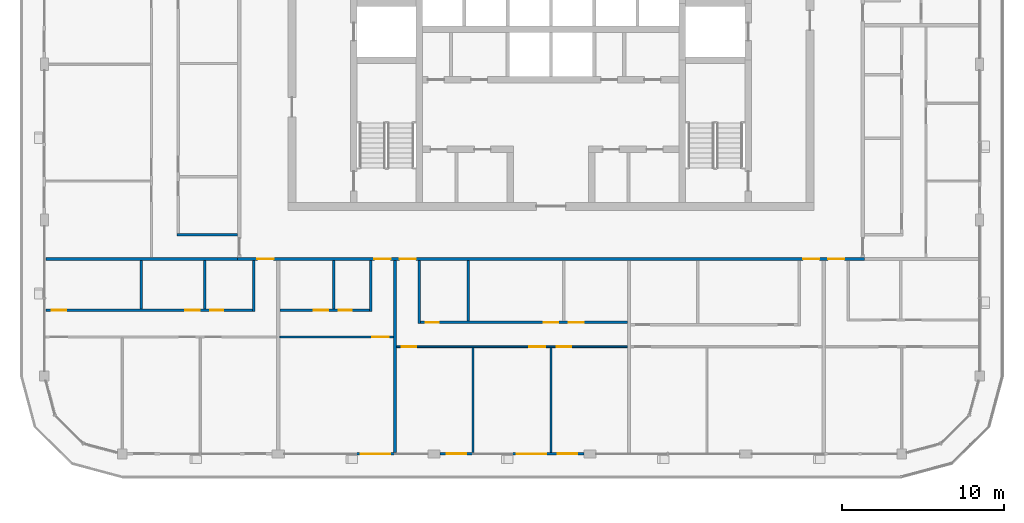
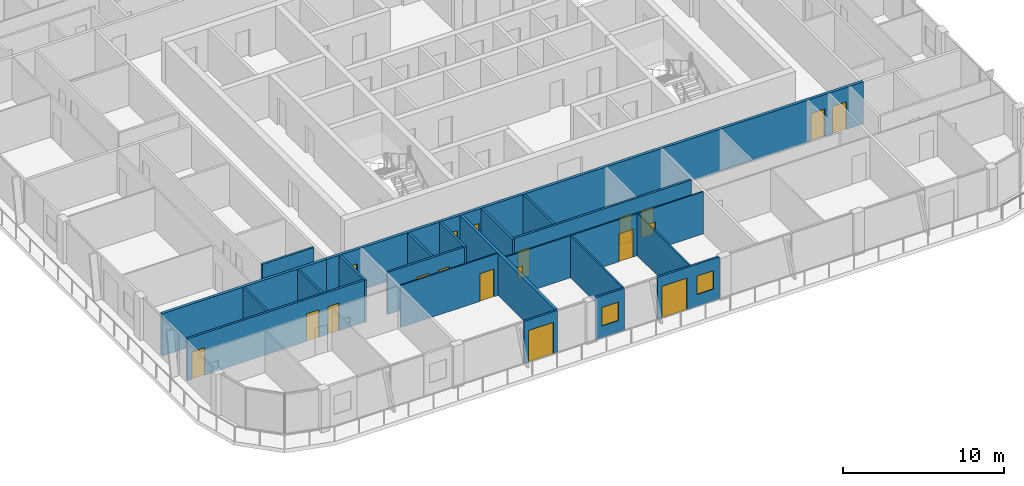
# One storey, part 9 of 22: 21 walls, 19 doors, 2 windows, 21 openings.
"""IFC4 building model written with IfcOpenShell, lengths in metres."""

from ifc_helpers import new_model, si_unit, direction, frame, frame_2d, origin, place, context, subcontext, project, spatial, rectangle, extrude, material, layer, layer_set, type_object, element, fill, save


model = new_model("IFC4")

# Units and contexts
model_context = context("Model", 3, precision=1e-05, world=origin(), true_north=direction((0.0, 1.0)))
body_context = subcontext(model_context, "Body", "Model", "MODEL_VIEW")
ifc_project = project(units=[si_unit("LENGTHUNIT", "METRE"), si_unit("AREAUNIT", "SQUARE_METRE"), si_unit("VOLUMEUNIT", "CUBIC_METRE"), si_unit("PLANEANGLEUNIT", "RADIAN"), si_unit("MASSUNIT", "GRAM", prefix="KILO")], contexts=[model_context])

# Site, building, storey
site_placement = place(None, origin())
site = spatial("IfcSite", under=ifc_project, at=site_placement, CompositionType="ELEMENT")
building_placement = place(site_placement, origin())
building = spatial("IfcBuilding", under=site, at=building_placement, Name="Madar Terraces", CompositionType="ELEMENT")
storey_placement = place(building_placement, frame((0.0, 0.0, 279.10009765625)))
storey = spatial("IfcBuildingStorey", under=building, at=storey_placement, Name="L73", CompositionType="ELEMENT", Elevation=279.10009765625)

# Wall, opening, door
ifc_material_1 = material(Name="Aluminium composite panel, black, over insulated backing", Category="aluminium")
ifc_layer_1 = layer(ifc_material_1, 0.14990234375)
ifc_layer_set_1 = layer_set([ifc_layer_1], Name="Facade bay panel 150")
wall_type_1 = type_object("IfcWallType", Name="Facade bay panel 150", PredefinedType="SOLIDWALL", material=ifc_layer_set_1)
wall_1_placement = place(storey_placement, frame((19.199951171875, 0.0, 0.0), z_axis=(0.0, 0.0, 1.0), x_axis=(1.0, 0.0, 0.0)))
wall_1 = element("IfcWall", 1, at=wall_1_placement, inside=storey, type_object=wall_type_1, Name="Facade bay panel", PredefinedType="SOLIDWALL", context=body_context, shape_type="SweptSolid", body=[
    extrude(rectangle(XDim=2.400146484375, YDim=0.14990234375, at=frame_2d((1.2001953125, 0.0))), origin(), (0.0, 0.0, 1.0), 3.199951171875),
])
opening_1_placement = place(wall_1_placement, frame((0.300048828125, 0.0, 0.0)))
opening_1 = element("IfcOpeningElement", 2, at=opening_1_placement, cuts=wall_1, Name="Opening ED1", PredefinedType="OPENING", context=body_context, shape_type="SweptSolid", body=[
    extrude(rectangle(XDim=1.800048828125, YDim=2.39990234375, at=frame_2d((0.89990234375, 1.199951171875))), frame((0.0, 0.0849609375, 0.0), z_axis=(0.0, -1.0, 0.0), x_axis=(1.0, 0.0, 0.0)), (0.0, 0.0, 1.0), 0.169921875),
])
ifc_material_2 = material(Name="Glass, clear, with black aluminium frame", Category="aluminium")
door_type_1 = type_object("IfcDoorType", Name="Balcony and terrace sliding door 1800 x 2400", OperationType="SLIDING_TO_LEFT", PredefinedType="DOOR", material=ifc_material_2)
door_1_placement = place(opening_1_placement, origin())
door_1 = element("IfcDoor", 3, at=door_1_placement, inside=storey, type_object=door_type_1, Name="Balcony door", OperationType="SLIDING_TO_LEFT", OverallHeight=2.39990234375, OverallWidth=1.800048828125, PredefinedType="DOOR", context=body_context, shape_type="SweptSolid", body=[
    extrude(rectangle(XDim=1.800048828125, YDim=2.39990234375, at=frame_2d((0.89990234375, 1.199951171875))), frame((0.0, 0.02490234375, 0.0), z_axis=(0.0, -1.0, 0.0), x_axis=(1.0, 0.0, 0.0)), (0.0, 0.0, 1.0), 0.050048828125),
])
fill(opening_1, door_1)

# Wall, opening, window
wall_2_placement = place(storey_placement, frame((24.375, 0.0, 0.0), z_axis=(0.0, 0.0, 1.0), x_axis=(1.0, 0.0, 0.0)))
wall_2 = element("IfcWall", 4, at=wall_2_placement, inside=storey, type_object=wall_type_1, Name="Facade bay panel", PredefinedType="SOLIDWALL", context=body_context, shape_type="SweptSolid", body=[
    extrude(rectangle(XDim=2.02490234375, YDim=0.14990234375, at=frame_2d((1.012451171875, 0.0))), origin(), (0.0, 0.0, 1.0), 3.199951171875),
])
opening_2_placement = place(wall_2_placement, frame((0.41259765625, 0.0, 0.89990234375)))
opening_2 = element("IfcOpeningElement", 5, at=opening_2_placement, cuts=wall_2, Name="Opening W1", PredefinedType="OPENING", context=body_context, shape_type="SweptSolid", body=[
    extrude(rectangle(XDim=1.199951171875, YDim=1.39990234375, at=frame_2d((0.60009765625, 0.699951171875))), frame((0.0, 0.0849609375, 0.0), z_axis=(0.0, -1.0, 0.0), x_axis=(1.0, 0.0, 0.0)), (0.0, 0.0, 1.0), 0.169921875),
])
ifc_material_3 = material(Name="Glass, clear, with black aluminium frame", Category="aluminium")
window_type = type_object("IfcWindowType", Name="Vent window 1200 x 1400", PartitioningType="SINGLE_PANEL", PredefinedType="WINDOW", material=ifc_material_3)
window_1_placement = place(opening_2_placement, origin())
window_1 = element("IfcWindow", 6, at=window_1_placement, inside=storey, type_object=window_type, Name="Operable vent window", OverallHeight=1.39990234375, OverallWidth=1.199951171875, PartitioningType="SINGLE_PANEL", PredefinedType="WINDOW", context=body_context, shape_type="SweptSolid", body=[
    extrude(rectangle(XDim=1.199951171875, YDim=1.39990234375, at=frame_2d((0.60009765625, 0.699951171875))), frame((0.0, 0.030029296875, 0.0), z_axis=(0.0, -1.0, 0.0), x_axis=(1.0, 0.0, 0.0)), (0.0, 0.0, 1.0), 0.06005859375),
])
fill(opening_2, window_1)

# Wall, openings, door, window
wall_3_placement = place(storey_placement, frame((28.800048828125, 0.0, 0.0), z_axis=(0.0, 0.0, 1.0), x_axis=(1.0, 0.0, 0.0)))
wall_3 = element("IfcWall", 7, at=wall_3_placement, inside=storey, type_object=wall_type_1, Name="Facade bay panel", PredefinedType="SOLIDWALL", context=body_context, shape_type="SweptSolid", body=[
    extrude(rectangle(XDim=4.425048828125, YDim=0.14990234375, at=frame_2d((2.21240234375, 0.0))), origin(), (0.0, 0.0, 1.0), 3.199951171875),
])
opening_3_placement = place(wall_3_placement, frame((0.300048828125, 0.0, 0.0)))
opening_3 = element("IfcOpeningElement", 8, at=opening_3_placement, cuts=wall_3, Name="Opening ED1", PredefinedType="OPENING", context=body_context, shape_type="SweptSolid", body=[
    extrude(rectangle(XDim=1.800048828125, YDim=2.39990234375, at=frame_2d((0.89990234375, 1.199951171875))), frame((0.0, 0.0849609375, 0.0), z_axis=(0.0, -1.0, 0.0), x_axis=(1.0, 0.0, 0.0)), (0.0, 0.0, 1.0), 0.169921875),
])
opening_4_placement = place(wall_3_placement, frame((2.8125, 0.0, 0.89990234375)))
opening_4 = element("IfcOpeningElement", 9, at=opening_4_placement, cuts=wall_3, Name="Opening W1", PredefinedType="OPENING", context=body_context, shape_type="SweptSolid", body=[
    extrude(rectangle(XDim=1.199951171875, YDim=1.39990234375, at=frame_2d((0.60009765625, 0.699951171875))), frame((0.0, 0.0849609375, 0.0), z_axis=(0.0, -1.0, 0.0), x_axis=(1.0, 0.0, 0.0)), (0.0, 0.0, 1.0), 0.169921875),
])
door_2_placement = place(opening_3_placement, origin())
door_2 = element("IfcDoor", 10, at=door_2_placement, inside=storey, type_object=door_type_1, Name="Balcony door", OperationType="SLIDING_TO_RIGHT", OverallHeight=2.39990234375, OverallWidth=1.800048828125, PredefinedType="DOOR", context=body_context, shape_type="SweptSolid", body=[
    extrude(rectangle(XDim=1.800048828125, YDim=2.39990234375, at=frame_2d((0.89990234375, 1.199951171875))), frame((0.0, 0.02490234375, 0.0), z_axis=(0.0, -1.0, 0.0), x_axis=(1.0, 0.0, 0.0)), (0.0, 0.0, 1.0), 0.050048828125),
])
fill(opening_3, door_2)
window_2_placement = place(opening_4_placement, origin())
window_2 = element("IfcWindow", 11, at=window_2_placement, inside=storey, type_object=window_type, Name="Operable vent window", OverallHeight=1.39990234375, OverallWidth=1.199951171875, PartitioningType="SINGLE_PANEL", PredefinedType="WINDOW", context=body_context, shape_type="SweptSolid", body=[
    extrude(rectangle(XDim=1.199951171875, YDim=1.39990234375, at=frame_2d((0.60009765625, 0.699951171875))), frame((0.0, 0.030029296875, 0.0), z_axis=(0.0, -1.0, 0.0), x_axis=(1.0, 0.0, 0.0)), (0.0, 0.0, 1.0), 0.06005859375),
])
fill(opening_4, window_2)

# Wall, opening, door
ifc_material_4 = material(Name="Gypsum board on steel studs", Category="steel")
ifc_layer_2 = layer(ifc_material_4, 0.10009765625)
ifc_layer_set_2 = layer_set([ifc_layer_2], Name="Flat partition 100")
wall_type_2 = type_object("IfcWallType", Name="Flat partition 100", PredefinedType="PARTITIONING", material=ifc_layer_set_2)
wall_4_placement = place(storey_placement, frame((21.5, 7.199951171875, 0.0), z_axis=(0.0, 0.0, 1.0), x_axis=(-1.0, 0.0, 0.0)))
wall_4 = element("IfcWall", 12, at=wall_4_placement, inside=storey, type_object=wall_type_2, Name="Flat partition 100", PredefinedType="PARTITIONING", context=body_context, shape_type="SweptSolid", body=[
    extrude(rectangle(XDim=7.0, YDim=0.10009765625, at=frame_2d((3.5, 0.0))), origin(), (0.0, 0.0, 1.0), 3.199951171875),
])
opening_5_placement = place(wall_4_placement, frame((0.300048828125, 0.0, 0.0)))
opening_5 = element("IfcOpeningElement", 13, at=opening_5_placement, cuts=wall_4, Name="Opening D3", PredefinedType="OPENING", context=body_context, shape_type="SweptSolid", body=[
    extrude(rectangle(XDim=1.0, YDim=2.10009765625, at=frame_2d((0.5, 1.050048828125))), frame((0.0, 0.06005859375, 0.0), z_axis=(0.0, -1.0, 0.0), x_axis=(1.0, 0.0, 0.0)), (0.0, 0.0, 1.0), 0.1201171875),
])
ifc_material_5 = material(Name="Timber door leaf", Category="wood")
door_type_2 = type_object("IfcDoorType", Name="Flat living room door 1000", OperationType="NOTDEFINED", PredefinedType="DOOR", material=ifc_material_5)
door_3_placement = place(opening_5_placement, origin())
door_3 = element("IfcDoor", 14, at=door_3_placement, inside=storey, type_object=door_type_2, Name="Flat living room door 1000", OperationType="SINGLE_SWING_LEFT", OverallHeight=2.10009765625, OverallWidth=1.0, PredefinedType="DOOR", context=body_context, shape_type="SweptSolid", body=[
    extrude(rectangle(XDim=1.0, YDim=2.10009765625, at=frame_2d((0.5, 1.050048828125))), frame((0.0, 0.02490234375, 0.0), z_axis=(0.0, -1.0, 0.0), x_axis=(1.0, 0.0, 0.0)), (0.0, 0.0, 1.0), 0.050048828125),
])
fill(opening_5, door_3)

# Walls
for number, where, z_axis, x_axis, name in (
    (15, (26.39990234375, 6.550048828125, 0.0), (0.0, 0.0, 1.0), (0.0, -1.0, 0.0), "Flat partition 100"),
    (16, (31.199951171875, 6.550048828125, 0.0), (0.0, 0.0, 1.0), (0.0, -1.0, 0.0), "Flat partition 100"),
):
    element("IfcWall", number, at=place(storey_placement, frame(where, z_axis=z_axis, x_axis=x_axis)), inside=storey, type_object=wall_type_2, Name=name, PredefinedType="PARTITIONING", context=body_context, shape_type="SweptSolid", body=[
        extrude(rectangle(XDim=6.449951171875, YDim=0.10009765625, at=frame_2d((3.22509765625, 0.0))), origin(), (0.0, 0.0, 1.0), 3.199951171875),
    ])

# Wall, openings, doors
wall_5_placement = place(storey_placement, frame((35.89990234375, 6.60009765625, 0.0), z_axis=(0.0, 0.0, 1.0), x_axis=(-1.0, 0.0, 0.0)))
wall_5 = element("IfcWall", 17, at=wall_5_placement, inside=storey, type_object=wall_type_2, Name="Flat partition 100", PredefinedType="PARTITIONING", context=body_context, shape_type="SweptSolid", body=[
    extrude(rectangle(XDim=14.199951171875, YDim=0.10009765625, at=frame_2d((7.10009765625, 0.0))), origin(), (0.0, 0.0, 1.0), 3.199951171875),
])
opening_6_placement = place(wall_5_placement, frame((13.0, 0.0, 0.0)))
opening_6 = element("IfcOpeningElement", 18, at=opening_6_placement, cuts=wall_5, Name="Opening D2", PredefinedType="OPENING", context=body_context, shape_type="SweptSolid", body=[
    extrude(rectangle(XDim=0.89990234375, YDim=2.10009765625, at=frame_2d((0.449951171875, 1.050048828125))), frame((0.0, 0.06005859375, 0.0), z_axis=(0.0, -1.0, 0.0), x_axis=(1.0, 0.0, 0.0)), (0.0, 0.0, 1.0), 0.1201171875),
])
opening_7_placement = place(wall_5_placement, frame((5.050048828125, 0.0, 0.0)))
opening_7 = element("IfcOpeningElement", 19, at=opening_7_placement, cuts=wall_5, Name="Opening D3", PredefinedType="OPENING", context=body_context, shape_type="SweptSolid", body=[
    extrude(rectangle(XDim=1.0, YDim=2.10009765625, at=frame_2d((0.5, 1.050048828125))), frame((0.0, 0.06005859375, 0.0), z_axis=(0.0, -1.0, 0.0), x_axis=(1.0, 0.0, 0.0)), (0.0, 0.0, 1.0), 0.1201171875),
])
opening_8_placement = place(wall_5_placement, frame((3.449951171875, 0.0, 0.0)))
opening_8 = element("IfcOpeningElement", 20, at=opening_8_placement, cuts=wall_5, Name="Opening D2", PredefinedType="OPENING", context=body_context, shape_type="SweptSolid", body=[
    extrude(rectangle(XDim=0.89990234375, YDim=2.10009765625, at=frame_2d((0.449951171875, 1.050048828125))), frame((0.0, 0.06005859375, 0.0), z_axis=(0.0, -1.0, 0.0), x_axis=(1.0, 0.0, 0.0)), (0.0, 0.0, 1.0), 0.1201171875),
])
door_4_placement = place(opening_7_placement, origin())
door_4 = element("IfcDoor", 21, at=door_4_placement, inside=storey, type_object=door_type_2, Name="Flat living room door 1000", OperationType="SINGLE_SWING_LEFT", OverallHeight=2.10009765625, OverallWidth=1.0, PredefinedType="DOOR", context=body_context, shape_type="SweptSolid", body=[
    extrude(rectangle(XDim=1.0, YDim=2.10009765625, at=frame_2d((0.5, 1.050048828125))), frame((0.0, 0.02490234375, 0.0), z_axis=(0.0, -1.0, 0.0), x_axis=(1.0, 0.0, 0.0)), (0.0, 0.0, 1.0), 0.050048828125),
])
fill(opening_7, door_4)
ifc_material_6 = material(Name="Timber door leaf", Category="wood")
door_type_3 = type_object("IfcDoorType", Name="Flat room door 900", OperationType="NOTDEFINED", PredefinedType="DOOR", material=ifc_material_6)
door_5_placement = place(opening_6_placement, origin())
door_5 = element("IfcDoor", 22, at=door_5_placement, inside=storey, type_object=door_type_3, Name="Flat room door 900", OperationType="SINGLE_SWING_RIGHT", OverallHeight=2.10009765625, OverallWidth=0.89990234375, PredefinedType="DOOR", context=body_context, shape_type="SweptSolid", body=[
    extrude(rectangle(XDim=0.89990234375, YDim=2.10009765625, at=frame_2d((0.449951171875, 1.050048828125))), frame((0.0, 0.02490234375, 0.0), z_axis=(0.0, -1.0, 0.0), x_axis=(1.0, 0.0, 0.0)), (0.0, 0.0, 1.0), 0.050048828125),
])
fill(opening_6, door_5)
door_6_placement = place(opening_8_placement, origin())
door_6 = element("IfcDoor", 23, at=door_6_placement, inside=storey, type_object=door_type_3, Name="Flat room door 900", OperationType="SINGLE_SWING_RIGHT", OverallHeight=2.10009765625, OverallWidth=0.89990234375, PredefinedType="DOOR", context=body_context, shape_type="SweptSolid", body=[
    extrude(rectangle(XDim=0.89990234375, YDim=2.10009765625, at=frame_2d((0.449951171875, 1.050048828125))), frame((0.0, 0.02490234375, 0.0), z_axis=(0.0, -1.0, 0.0), x_axis=(1.0, 0.0, 0.0)), (0.0, 0.0, 1.0), 0.050048828125),
])
fill(opening_8, door_6)

ifc_material_7 = material(Name="Lightweight blockwork", Category="masonry")
ifc_layer_3 = layer(ifc_material_7, 0.199951171875)
ifc_layer_set_3 = layer_set([ifc_layer_3], Name="Flat party and entrance wall 200")
wall_type_3 = type_object("IfcWallType", Name="Flat party and entrance wall 200", PredefinedType="PARTITIONING", material=ifc_layer_set_3)
wall_6_placement = place(storey_placement, frame((50.5, 12.0, 0.0), z_axis=(0.0, 0.0, 1.0), x_axis=(-1.0, 0.0, 0.0)))
wall_6 = element("IfcWall", 24, at=wall_6_placement, inside=storey, type_object=wall_type_3, Name="Flat party and entrance wall 200", PredefinedType="PARTITIONING", context=body_context, shape_type="SweptSolid", body=[
    extrude(rectangle(XDim=38.60009765625, YDim=0.199951171875, at=frame_2d((19.300048828125, 0.0))), origin(), (0.0, 0.0, 1.0), 3.199951171875),
])
opening_9_placement = place(wall_6_placement, frame((36.375, 0.0, 0.0)))
opening_9 = element("IfcOpeningElement", 25, at=opening_9_placement, cuts=wall_6, Name="Opening D1", PredefinedType="OPENING", context=body_context, shape_type="SweptSolid", body=[
    extrude(rectangle(XDim=1.0, YDim=2.10009765625, at=frame_2d((0.5, 1.050048828125))), frame((0.0, 0.10986328125, 0.0), z_axis=(0.0, -1.0, 0.0), x_axis=(1.0, 0.0, 0.0)), (0.0, 0.0, 1.0), 0.219970703125),
])
opening_10_placement = place(wall_6_placement, frame((29.175048828125, 0.0, 0.0)))
opening_10 = element("IfcOpeningElement", 26, at=opening_10_placement, cuts=wall_6, Name="Opening D1", PredefinedType="OPENING", context=body_context, shape_type="SweptSolid", body=[
    extrude(rectangle(XDim=1.0, YDim=2.10009765625, at=frame_2d((0.5, 1.050048828125))), frame((0.0, 0.10986328125, 0.0), z_axis=(0.0, -1.0, 0.0), x_axis=(1.0, 0.0, 0.0)), (0.0, 0.0, 1.0), 0.219970703125),
])
opening_11_placement = place(wall_6_placement, frame((27.625, 0.0, 0.0)))
opening_11 = element("IfcOpeningElement", 27, at=opening_11_placement, cuts=wall_6, Name="Opening D1", PredefinedType="OPENING", context=body_context, shape_type="SweptSolid", body=[
    extrude(rectangle(XDim=1.0, YDim=2.10009765625, at=frame_2d((0.5, 1.050048828125))), frame((0.0, 0.10986328125, 0.0), z_axis=(0.0, -1.0, 0.0), x_axis=(1.0, 0.0, 0.0)), (0.0, 0.0, 1.0), 0.219970703125),
])
opening_12_placement = place(wall_6_placement, frame((2.77490234375, 0.0, 0.0)))
opening_12 = element("IfcOpeningElement", 28, at=opening_12_placement, cuts=wall_6, Name="Opening D1", PredefinedType="OPENING", context=body_context, shape_type="SweptSolid", body=[
    extrude(rectangle(XDim=1.0, YDim=2.10009765625, at=frame_2d((0.5, 1.050048828125))), frame((0.0, 0.10986328125, 0.0), z_axis=(0.0, -1.0, 0.0), x_axis=(1.0, 0.0, 0.0)), (0.0, 0.0, 1.0), 0.219970703125),
])
opening_13_placement = place(wall_6_placement, frame((1.22509765625, 0.0, 0.0)))
opening_13 = element("IfcOpeningElement", 29, at=opening_13_placement, cuts=wall_6, Name="Opening D1", PredefinedType="OPENING", context=body_context, shape_type="SweptSolid", body=[
    extrude(rectangle(XDim=1.0, YDim=2.10009765625, at=frame_2d((0.5, 1.050048828125))), frame((0.0, 0.10986328125, 0.0), z_axis=(0.0, -1.0, 0.0), x_axis=(1.0, 0.0, 0.0)), (0.0, 0.0, 1.0), 0.219970703125),
])
ifc_material_8 = material(Name="Timber fire door leaf", Category="wood")
door_type_4 = type_object("IfcDoorType", Name="Flat entrance door 1000 FD30S", OperationType="NOTDEFINED", PredefinedType="DOOR", material=ifc_material_8)
door_7_placement = place(opening_9_placement, origin())
door_7 = element("IfcDoor", 30, at=door_7_placement, inside=storey, type_object=door_type_4, Name="Flat entrance door 1000 FD30S", OperationType="SINGLE_SWING_LEFT", OverallHeight=2.10009765625, OverallWidth=1.0, PredefinedType="DOOR", context=body_context, shape_type="SweptSolid", body=[
    extrude(rectangle(XDim=1.0, YDim=2.10009765625, at=frame_2d((0.5, 1.050048828125))), frame((0.0, 0.02490234375, 0.0), z_axis=(0.0, -1.0, 0.0), x_axis=(1.0, 0.0, 0.0)), (0.0, 0.0, 1.0), 0.050048828125),
])
fill(opening_9, door_7)
door_8_placement = place(opening_10_placement, origin())
door_8 = element("IfcDoor", 31, at=door_8_placement, inside=storey, type_object=door_type_4, Name="Flat entrance door 1000 FD30S", OperationType="SINGLE_SWING_LEFT", OverallHeight=2.10009765625, OverallWidth=1.0, PredefinedType="DOOR", context=body_context, shape_type="SweptSolid", body=[
    extrude(rectangle(XDim=1.0, YDim=2.10009765625, at=frame_2d((0.5, 1.050048828125))), frame((0.0, 0.02490234375, 0.0), z_axis=(0.0, -1.0, 0.0), x_axis=(1.0, 0.0, 0.0)), (0.0, 0.0, 1.0), 0.050048828125),
])
fill(opening_10, door_8)
door_9_placement = place(opening_11_placement, origin())
door_9 = element("IfcDoor", 32, at=door_9_placement, inside=storey, type_object=door_type_4, Name="Flat entrance door 1000 FD30S", OperationType="SINGLE_SWING_RIGHT", OverallHeight=2.10009765625, OverallWidth=1.0, PredefinedType="DOOR", context=body_context, shape_type="SweptSolid", body=[
    extrude(rectangle(XDim=1.0, YDim=2.10009765625, at=frame_2d((0.5, 1.050048828125))), frame((0.0, 0.02490234375, 0.0), z_axis=(0.0, -1.0, 0.0), x_axis=(1.0, 0.0, 0.0)), (0.0, 0.0, 1.0), 0.050048828125),
])
fill(opening_11, door_9)
door_10_placement = place(opening_12_placement, origin())
door_10 = element("IfcDoor", 33, at=door_10_placement, inside=storey, type_object=door_type_4, Name="Flat entrance door 1000 FD30S", OperationType="SINGLE_SWING_LEFT", OverallHeight=2.10009765625, OverallWidth=1.0, PredefinedType="DOOR", context=body_context, shape_type="SweptSolid", body=[
    extrude(rectangle(XDim=1.0, YDim=2.10009765625, at=frame_2d((0.5, 1.050048828125))), frame((0.0, 0.02490234375, 0.0), z_axis=(0.0, -1.0, 0.0), x_axis=(1.0, 0.0, 0.0)), (0.0, 0.0, 1.0), 0.050048828125),
])
fill(opening_12, door_10)
door_11_placement = place(opening_13_placement, origin())
door_11 = element("IfcDoor", 34, at=door_11_placement, inside=storey, type_object=door_type_4, Name="Flat entrance door 1000 FD30S", OperationType="SINGLE_SWING_RIGHT", OverallHeight=2.10009765625, OverallWidth=1.0, PredefinedType="DOOR", context=body_context, shape_type="SweptSolid", body=[
    extrude(rectangle(XDim=1.0, YDim=2.10009765625, at=frame_2d((0.5, 1.050048828125))), frame((0.0, 0.02490234375, 0.0), z_axis=(0.0, -1.0, 0.0), x_axis=(1.0, 0.0, 0.0)), (0.0, 0.0, 1.0), 0.050048828125),
])
fill(opening_13, door_11)

# Walls
for number, where, z_axis, x_axis, name in (
    (35, (0.10009765625, 12.0, 0.0), (0.0, 0.0, 1.0), (1.0, 0.0, 0.0), "Flat party and entrance wall 200"),
    (36, (21.60009765625, 11.89990234375, 0.0), (0.0, 0.0, 1.0), (0.0, -1.0, 0.0), "Flat party and entrance wall 200"),
):
    element("IfcWall", number, at=place(storey_placement, frame(where, z_axis=z_axis, x_axis=x_axis)), inside=storey, type_object=wall_type_3, Name=name, PredefinedType="PARTITIONING", context=body_context, shape_type="SweptSolid", body=[
        extrude(rectangle(XDim=11.7998046875, YDim=0.199951171875, at=frame_2d((5.89990234375, 0.0))), origin(), (0.0, 0.0, 1.0), 3.199951171875),
    ])
ifc_material_9 = material(Name="Lightweight blockwork", Category="masonry")
ifc_layer_4 = layer(ifc_material_9, 0.14990234375)
ifc_layer_set_4 = layer_set([ifc_layer_4], Name="Flat wet-room partition 150")
wall_type_4 = type_object("IfcWallType", Name="Flat wet-room partition 150", PredefinedType="PARTITIONING", material=ifc_layer_set_4)
for number, where, z_axis, x_axis, name in (
    (37, (9.888427734375, 11.89990234375, 0.0), (0.0, 0.0, 1.0), (0.0, -1.0, 0.0), "Flat wet-room partition 150"),
    (38, (5.97314453125, 11.89990234375, 0.0), (0.0, 0.0, 1.0), (0.0, -1.0, 0.0), "Flat wet-room partition 150"),
):
    element("IfcWall", number, at=place(storey_placement, frame(where, z_axis=z_axis, x_axis=x_axis)), inside=storey, type_object=wall_type_4, Name=name, PredefinedType="PARTITIONING", context=body_context, shape_type="SweptSolid", body=[
        extrude(rectangle(XDim=2.974853515625, YDim=0.14990234375, at=frame_2d((1.4873046875, 0.0))), origin(), (0.0, 0.0, 1.0), 3.199951171875),
    ])
wall_7_placement = place(storey_placement, frame((12.89990234375, 11.89990234375, 0.0), z_axis=(0.0, 0.0, 1.0), x_axis=(0.0, -1.0, 0.0)))
element("IfcWall", 39, at=wall_7_placement, inside=storey, type_object=wall_type_4, Name="Flat wet-room partition 150", PredefinedType="PARTITIONING", context=body_context, shape_type="SweptSolid", body=[
    extrude(rectangle(XDim=3.125, YDim=0.14990234375, at=frame_2d((1.5625, 0.0))), origin(), (0.0, 0.0, 1.0), 3.199951171875),
])

# Wall, openings, doors
wall_8_placement = place(storey_placement, frame((0.10009765625, 8.85009765625, 0.0), z_axis=(0.0, 0.0, 1.0), x_axis=(1.0, 0.0, 0.0)))
wall_8 = element("IfcWall", 40, at=wall_8_placement, inside=storey, type_object=wall_type_4, Name="Flat wet-room partition 150", PredefinedType="PARTITIONING", context=body_context, shape_type="SweptSolid", body=[
    extrude(rectangle(XDim=12.724853515625, YDim=0.14990234375, at=frame_2d((6.3623046875, 0.0))), origin(), (0.0, 0.0, 1.0), 3.199951171875),
])
opening_14_placement = place(wall_8_placement, frame((10.113525390625, 0.0, 0.0)))
opening_14 = element("IfcOpeningElement", 41, at=opening_14_placement, cuts=wall_8, Name="Opening D4", PredefinedType="OPENING", context=body_context, shape_type="SweptSolid", body=[
    extrude(rectangle(XDim=0.800048828125, YDim=2.10009765625, at=frame_2d((0.39990234375, 1.050048828125))), frame((0.0, 0.0849609375, 0.0), z_axis=(0.0, -1.0, 0.0), x_axis=(1.0, 0.0, 0.0)), (0.0, 0.0, 1.0), 0.169921875),
])
opening_15_placement = place(wall_8_placement, frame((8.5634765625, 0.0, 0.0)))
opening_15 = element("IfcOpeningElement", 42, at=opening_15_placement, cuts=wall_8, Name="Opening D5", PredefinedType="OPENING", context=body_context, shape_type="SweptSolid", body=[
    extrude(rectangle(XDim=0.89990234375, YDim=2.10009765625, at=frame_2d((0.449951171875, 1.050048828125))), frame((0.0, 0.0849609375, 0.0), z_axis=(0.0, -1.0, 0.0), x_axis=(1.0, 0.0, 0.0)), (0.0, 0.0, 1.0), 0.169921875),
])
opening_16_placement = place(wall_8_placement, frame((0.35009765625, 0.0, 0.0)))
opening_16 = element("IfcOpeningElement", 43, at=opening_16_placement, cuts=wall_8, Name="Opening D2", PredefinedType="OPENING", context=body_context, shape_type="SweptSolid", body=[
    extrude(rectangle(XDim=0.89990234375, YDim=2.10009765625, at=frame_2d((0.449951171875, 1.050048828125))), frame((0.0, 0.0849609375, 0.0), z_axis=(0.0, -1.0, 0.0), x_axis=(1.0, 0.0, 0.0)), (0.0, 0.0, 1.0), 0.169921875),
])
ifc_material_10 = material(Name="Timber door leaf", Category="wood")
door_type_5 = type_object("IfcDoorType", Name="Flat accessible bathroom door 900", OperationType="NOTDEFINED", PredefinedType="DOOR", material=ifc_material_10)
door_12_placement = place(opening_15_placement, origin())
door_12 = element("IfcDoor", 44, at=door_12_placement, inside=storey, type_object=door_type_5, Name="Flat accessible bathroom door 900", OperationType="SINGLE_SWING_RIGHT", OverallHeight=2.10009765625, OverallWidth=0.89990234375, PredefinedType="DOOR", context=body_context, shape_type="SweptSolid", body=[
    extrude(rectangle(XDim=0.89990234375, YDim=2.10009765625, at=frame_2d((0.449951171875, 1.050048828125))), frame((0.0, 0.02490234375, 0.0), z_axis=(0.0, -1.0, 0.0), x_axis=(1.0, 0.0, 0.0)), (0.0, 0.0, 1.0), 0.050048828125),
])
fill(opening_15, door_12)
ifc_material_11 = material(Name="Timber door leaf", Category="wood")
door_type_6 = type_object("IfcDoorType", Name="Flat bathroom door 800", OperationType="NOTDEFINED", PredefinedType="DOOR", material=ifc_material_11)
door_13_placement = place(opening_14_placement, origin())
door_13 = element("IfcDoor", 45, at=door_13_placement, inside=storey, type_object=door_type_6, Name="Flat bathroom door 800", OperationType="SINGLE_SWING_LEFT", OverallHeight=2.10009765625, OverallWidth=0.800048828125, PredefinedType="DOOR", context=body_context, shape_type="SweptSolid", body=[
    extrude(rectangle(XDim=0.800048828125, YDim=2.10009765625, at=frame_2d((0.39990234375, 1.050048828125))), frame((0.0, 0.02490234375, 0.0), z_axis=(0.0, -1.0, 0.0), x_axis=(1.0, 0.0, 0.0)), (0.0, 0.0, 1.0), 0.050048828125),
])
fill(opening_14, door_13)
door_14_placement = place(opening_16_placement, origin())
door_14 = element("IfcDoor", 46, at=door_14_placement, inside=storey, type_object=door_type_3, Name="Flat room door 900", OperationType="SINGLE_SWING_LEFT", OverallHeight=2.10009765625, OverallWidth=0.89990234375, PredefinedType="DOOR", context=body_context, shape_type="SweptSolid", body=[
    extrude(rectangle(XDim=0.89990234375, YDim=2.10009765625, at=frame_2d((0.449951171875, 1.050048828125))), frame((0.0, 0.02490234375, 0.0), z_axis=(0.0, -1.0, 0.0), x_axis=(1.0, 0.0, 0.0)), (0.0, 0.0, 1.0), 0.050048828125),
])
fill(opening_16, door_14)

# Walls
wall_9_placement = place(storey_placement, frame((17.81494140625, 11.89990234375, 0.0), z_axis=(0.0, 0.0, 1.0), x_axis=(0.0, -1.0, 0.0)))
element("IfcWall", 47, at=wall_9_placement, inside=storey, type_object=wall_type_4, Name="Flat wet-room partition 150", PredefinedType="PARTITIONING", context=body_context, shape_type="SweptSolid", body=[
    extrude(rectangle(XDim=2.974853515625, YDim=0.14990234375, at=frame_2d((1.4873046875, 0.0))), origin(), (0.0, 0.0, 1.0), 3.199951171875),
])
wall_10_placement = place(storey_placement, frame((20.10009765625, 11.89990234375, 0.0), z_axis=(0.0, 0.0, 1.0), x_axis=(0.0, -1.0, 0.0)))
element("IfcWall", 48, at=wall_10_placement, inside=storey, type_object=wall_type_4, Name="Flat wet-room partition 150", PredefinedType="PARTITIONING", context=body_context, shape_type="SweptSolid", body=[
    extrude(rectangle(XDim=3.125, YDim=0.14990234375, at=frame_2d((1.5625, 0.0))), origin(), (0.0, 0.0, 1.0), 3.199951171875),
])

# Wall, openings, doors
wall_11_placement = place(storey_placement, frame((14.5, 8.85009765625, 0.0), z_axis=(0.0, 0.0, 1.0), x_axis=(1.0, 0.0, 0.0)))
wall_11 = element("IfcWall", 49, at=wall_11_placement, inside=storey, type_object=wall_type_4, Name="Flat wet-room partition 150", PredefinedType="PARTITIONING", context=body_context, shape_type="SweptSolid", body=[
    extrude(rectangle(XDim=5.52490234375, YDim=0.14990234375, at=frame_2d((2.762451171875, 0.0))), origin(), (0.0, 0.0, 1.0), 3.199951171875),
])
opening_17_placement = place(wall_11_placement, frame((3.639892578125, 0.0, 0.0)))
opening_17 = element("IfcOpeningElement", 50, at=opening_17_placement, cuts=wall_11, Name="Opening D4", PredefinedType="OPENING", context=body_context, shape_type="SweptSolid", body=[
    extrude(rectangle(XDim=0.800048828125, YDim=2.10009765625, at=frame_2d((0.39990234375, 1.050048828125))), frame((0.0, 0.0849609375, 0.0), z_axis=(0.0, -1.0, 0.0), x_axis=(1.0, 0.0, 0.0)), (0.0, 0.0, 1.0), 0.169921875),
])
opening_18_placement = place(wall_11_placement, frame((2.090087890625, 0.0, 0.0)))
opening_18 = element("IfcOpeningElement", 51, at=opening_18_placement, cuts=wall_11, Name="Opening D2", PredefinedType="OPENING", context=body_context, shape_type="SweptSolid", body=[
    extrude(rectangle(XDim=0.89990234375, YDim=2.10009765625, at=frame_2d((0.449951171875, 1.050048828125))), frame((0.0, 0.0849609375, 0.0), z_axis=(0.0, -1.0, 0.0), x_axis=(1.0, 0.0, 0.0)), (0.0, 0.0, 1.0), 0.169921875),
])
door_15_placement = place(opening_17_placement, origin())
door_15 = element("IfcDoor", 52, at=door_15_placement, inside=storey, type_object=door_type_6, Name="Flat bathroom door 800", OperationType="SINGLE_SWING_LEFT", OverallHeight=2.10009765625, OverallWidth=0.800048828125, PredefinedType="DOOR", context=body_context, shape_type="SweptSolid", body=[
    extrude(rectangle(XDim=0.800048828125, YDim=2.10009765625, at=frame_2d((0.39990234375, 1.050048828125))), frame((0.0, 0.02490234375, 0.0), z_axis=(0.0, -1.0, 0.0), x_axis=(1.0, 0.0, 0.0)), (0.0, 0.0, 1.0), 0.050048828125),
])
fill(opening_17, door_15)
door_16_placement = place(opening_18_placement, origin())
door_16 = element("IfcDoor", 53, at=door_16_placement, inside=storey, type_object=door_type_3, Name="Flat room door 900", OperationType="SINGLE_SWING_RIGHT", OverallHeight=2.10009765625, OverallWidth=0.89990234375, PredefinedType="DOOR", context=body_context, shape_type="SweptSolid", body=[
    extrude(rectangle(XDim=0.89990234375, YDim=2.10009765625, at=frame_2d((0.449951171875, 1.050048828125))), frame((0.0, 0.02490234375, 0.0), z_axis=(0.0, -1.0, 0.0), x_axis=(1.0, 0.0, 0.0)), (0.0, 0.0, 1.0), 0.050048828125),
])
fill(opening_18, door_16)

# Walls
wall_12_placement = place(storey_placement, frame((26.111572265625, 11.89990234375, 0.0), z_axis=(0.0, 0.0, 1.0), x_axis=(0.0, -1.0, 0.0)))
element("IfcWall", 54, at=wall_12_placement, inside=storey, type_object=wall_type_4, Name="Flat wet-room partition 150", PredefinedType="PARTITIONING", context=body_context, shape_type="SweptSolid", body=[
    extrude(rectangle(XDim=3.724853515625, YDim=0.14990234375, at=frame_2d((1.8623046875, 0.0))), origin(), (0.0, 0.0, 1.0), 3.199951171875),
])
wall_13_placement = place(storey_placement, frame((23.10009765625, 11.89990234375, 0.0), z_axis=(0.0, 0.0, 1.0), x_axis=(0.0, -1.0, 0.0)))
element("IfcWall", 55, at=wall_13_placement, inside=storey, type_object=wall_type_4, Name="Flat wet-room partition 150", PredefinedType="PARTITIONING", context=body_context, shape_type="SweptSolid", body=[
    extrude(rectangle(XDim=3.875, YDim=0.14990234375, at=frame_2d((1.9375, 0.0))), origin(), (0.0, 0.0, 1.0), 3.199951171875),
])

# Wall, openings, doors
wall_14_placement = place(storey_placement, frame((23.175048828125, 8.10009765625, 0.0), z_axis=(0.0, 0.0, 1.0), x_axis=(1.0, 0.0, 0.0)))
wall_14 = element("IfcWall", 56, at=wall_14_placement, inside=storey, type_object=wall_type_4, Name="Flat wet-room partition 150", PredefinedType="PARTITIONING", context=body_context, shape_type="SweptSolid", body=[
    extrude(rectangle(XDim=12.724853515625, YDim=0.14990234375, at=frame_2d((6.3623046875, 0.0))), origin(), (0.0, 0.0, 1.0), 3.199951171875),
])
opening_19_placement = place(wall_14_placement, frame((0.300048828125, 0.0, 0.0)))
opening_19 = element("IfcOpeningElement", 57, at=opening_19_placement, cuts=wall_14, Name="Opening D4", PredefinedType="OPENING", context=body_context, shape_type="SweptSolid", body=[
    extrude(rectangle(XDim=0.800048828125, YDim=2.10009765625, at=frame_2d((0.39990234375, 1.050048828125))), frame((0.0, 0.0849609375, 0.0), z_axis=(0.0, -1.0, 0.0), x_axis=(1.0, 0.0, 0.0)), (0.0, 0.0, 1.0), 0.169921875),
])
opening_20_placement = place(wall_14_placement, frame((7.584716796875, 0.0, 0.0)))
opening_20 = element("IfcOpeningElement", 58, at=opening_20_placement, cuts=wall_14, Name="Opening D2", PredefinedType="OPENING", context=body_context, shape_type="SweptSolid", body=[
    extrude(rectangle(XDim=0.89990234375, YDim=2.10009765625, at=frame_2d((0.449951171875, 1.050048828125))), frame((0.0, 0.0849609375, 0.0), z_axis=(0.0, -1.0, 0.0), x_axis=(1.0, 0.0, 0.0)), (0.0, 0.0, 1.0), 0.169921875),
])
opening_21_placement = place(wall_14_placement, frame((9.134521484375, 0.0, 0.0)))
opening_21 = element("IfcOpeningElement", 59, at=opening_21_placement, cuts=wall_14, Name="Opening D5", PredefinedType="OPENING", context=body_context, shape_type="SweptSolid", body=[
    extrude(rectangle(XDim=0.89990234375, YDim=2.10009765625, at=frame_2d((0.449951171875, 1.050048828125))), frame((0.0, 0.0849609375, 0.0), z_axis=(0.0, -1.0, 0.0), x_axis=(1.0, 0.0, 0.0)), (0.0, 0.0, 1.0), 0.169921875),
])
door_17_placement = place(opening_21_placement, origin())
door_17 = element("IfcDoor", 60, at=door_17_placement, inside=storey, type_object=door_type_5, Name="Flat accessible bathroom door 900", OperationType="SINGLE_SWING_LEFT", OverallHeight=2.10009765625, OverallWidth=0.89990234375, PredefinedType="DOOR", context=body_context, shape_type="SweptSolid", body=[
    extrude(rectangle(XDim=0.89990234375, YDim=2.10009765625, at=frame_2d((0.449951171875, 1.050048828125))), frame((0.0, 0.02490234375, 0.0), z_axis=(0.0, -1.0, 0.0), x_axis=(1.0, 0.0, 0.0)), (0.0, 0.0, 1.0), 0.050048828125),
])
fill(opening_21, door_17)
door_18_placement = place(opening_19_placement, origin())
door_18 = element("IfcDoor", 61, at=door_18_placement, inside=storey, type_object=door_type_6, Name="Flat bathroom door 800", OperationType="SINGLE_SWING_LEFT", OverallHeight=2.10009765625, OverallWidth=0.800048828125, PredefinedType="DOOR", context=body_context, shape_type="SweptSolid", body=[
    extrude(rectangle(XDim=0.800048828125, YDim=2.10009765625, at=frame_2d((0.39990234375, 1.050048828125))), frame((0.0, 0.02490234375, 0.0), z_axis=(0.0, -1.0, 0.0), x_axis=(1.0, 0.0, 0.0)), (0.0, 0.0, 1.0), 0.050048828125),
])
fill(opening_19, door_18)
door_19_placement = place(opening_20_placement, origin())
door_19 = element("IfcDoor", 62, at=door_19_placement, inside=storey, type_object=door_type_3, Name="Flat room door 900", OperationType="SINGLE_SWING_RIGHT", OverallHeight=2.10009765625, OverallWidth=0.89990234375, PredefinedType="DOOR", context=body_context, shape_type="SweptSolid", body=[
    extrude(rectangle(XDim=0.89990234375, YDim=2.10009765625, at=frame_2d((0.449951171875, 1.050048828125))), frame((0.0, 0.02490234375, 0.0), z_axis=(0.0, -1.0, 0.0), x_axis=(1.0, 0.0, 0.0)), (0.0, 0.0, 1.0), 0.050048828125),
])
fill(opening_20, door_19)

# Wall
wall_15_placement = place(storey_placement, frame((11.89990234375, 13.5, 0.0), z_axis=(0.0, 0.0, 1.0), x_axis=(-1.0, 0.0, 0.0)))
element("IfcWall", 63, at=wall_15_placement, inside=storey, type_object=wall_type_4, Name="Flat wet-room partition 150", PredefinedType="PARTITIONING", context=body_context, shape_type="SweptSolid", body=[
    extrude(rectangle(XDim=3.724853515625, YDim=0.14990234375, at=frame_2d((1.8623046875, 0.0))), origin(), (0.0, 0.0, 1.0), 3.199951171875),
])

save(model, "model.ifc")
